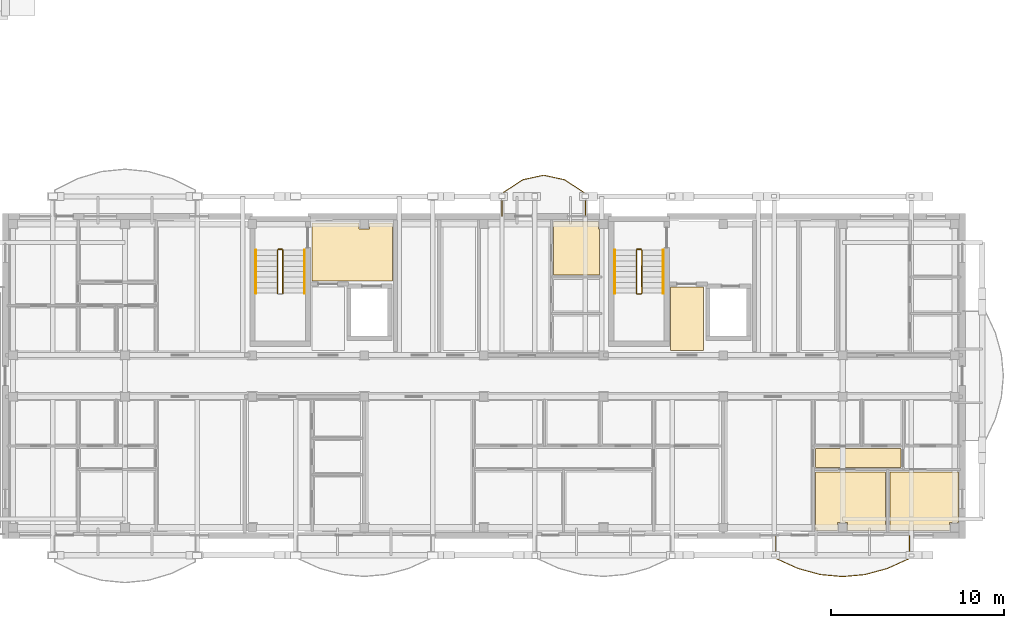
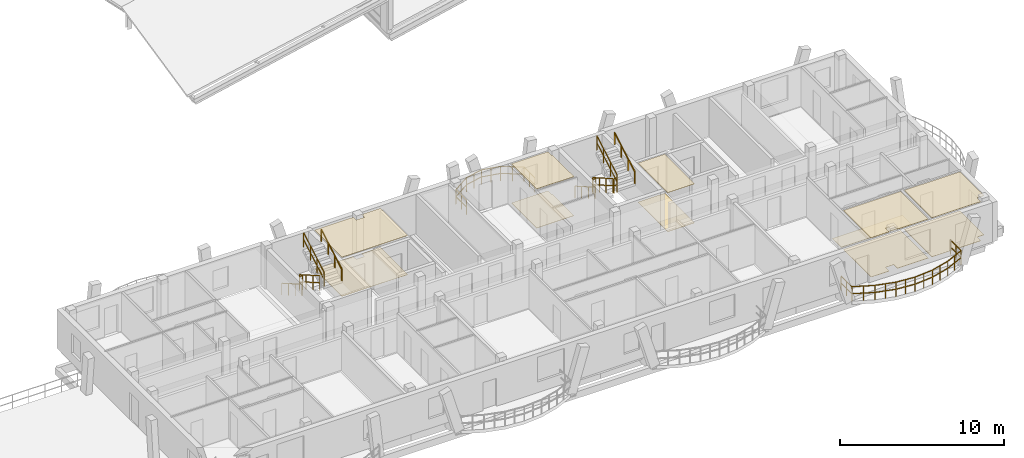
# One storey, part 103 of 109: 13 railings, 11 coverings.
"""IFC4 building model written with IfcOpenShell, lengths in metres."""

from ifc_helpers import new_model, si_unit, direction, frame, origin, origin_2d, place, context, subcontext, project, spatial, polyline, rectangle, outline, extrude, material, layer, layer_set, type_object, element, save


model = new_model("IFC4")

# Units and contexts
model_context = context("Model", 3, precision=1e-05, world=origin(), true_north=direction((0.0, 1.0)))
body_context = subcontext(model_context, "Body", "Model", "MODEL_VIEW")
ifc_project = project(units=[si_unit("LENGTHUNIT", "METRE"), si_unit("AREAUNIT", "SQUARE_METRE"), si_unit("VOLUMEUNIT", "CUBIC_METRE"), si_unit("PLANEANGLEUNIT", "RADIAN"), si_unit("MASSUNIT", "GRAM", prefix="KILO")], contexts=[model_context])

# Site, building, storey
site_placement = place(None, origin())
site = spatial("IfcSite", under=ifc_project, at=site_placement, CompositionType="ELEMENT")
building_placement = place(site_placement, origin())
building = spatial("IfcBuilding", under=site, at=building_placement, Name="Zavelmont Quarter", CompositionType="ELEMENT")
storey_placement = place(building_placement, frame((0.0, 0.0, 8.0)))
storey = spatial("IfcBuildingStorey", under=building, at=storey_placement, Name="L02", CompositionType="ELEMENT", Elevation=8.0)

# Coverings
ifc_material_1 = material(Name="Perforated acoustic gypsum board")
ifc_layer_1 = layer(ifc_material_1, 0.02490234375)
ifc_layer_set_1 = layer_set([ifc_layer_1], Name="Perforated acoustic gypsum board")
covering_type_1 = type_object("IfcCoveringType", Name="CV-CL01", PredefinedType="CEILING", material=ifc_layer_set_1)
covering_1_placement = place(storey_placement, frame((0.0, 0.0, 2.9150390625)))
element("IfcCovering", 1, at=covering_1_placement, inside=storey, type_object=covering_type_1, Name="L02 Firefighting Lobby acoustic ceiling", PredefinedType="CEILING", context=body_context, shape_type="SweptSolid", body=[
    extrude(outline(polyline([(130.47998046875, 18.02001953125), (133.2099609375, 18.02001953125), (133.2099609375, 17.669921875), (133.7900390625, 17.669921875), (133.7900390625, 18.02001953125), (135.1201171875, 18.02001953125), (135.1201171875, 14.679931640625), (130.47998046875, 14.679931640625), (130.47998046875, 18.02001953125)])), origin(), (0.0, 0.0, 1.0), 0.02490234375),
])
covering_2_placement = place(storey_placement, frame((0.0, 0.0, 2.9150390625)))
element("IfcCovering", 2, at=covering_2_placement, inside=storey, type_object=covering_type_1, Name="L02 Lobby Vestibule acoustic ceiling", PredefinedType="CEILING", context=body_context, shape_type="SweptSolid", body=[
    extrude(outline(polyline([(151.179931640625, 14.320068359375), (153.070068359375, 14.320068359375), (153.070068359375, 10.679931640625), (151.179931640625, 10.679931640625), (151.179931640625, 14.320068359375)])), origin(), (0.0, 0.0, 1.0), 0.02490234375),
])
covering_3_placement = place(storey_placement, frame((0.0, 0.0, 2.9150390625)))
element("IfcCovering", 3, at=covering_3_placement, inside=storey, type_object=covering_type_1, Name="L02 Master Bedroom acoustic ceiling", PredefinedType="CEILING", context=body_context, shape_type="SweptSolid", body=[
    extrude(outline(polyline([(159.530029296875, 3.669921875), (163.570068359375, 3.669921875), (163.570068359375, 0.280029296875), (161.389892578125, 0.280029296875), (161.389892578125, 0.72998046875), (160.81005859375, 0.72998046875), (160.81005859375, 0.280029296875), (159.530029296875, 0.280029296875), (159.530029296875, 3.669921875)])), origin(), (0.0, 0.0, 1.0), 0.02490234375),
])
covering_4_placement = place(storey_placement, frame((0.0, 0.0, 2.9150390625)))
element("IfcCovering", 4, at=covering_4_placement, inside=storey, type_object=covering_type_1, Name="L02 Double Bedroom acoustic ceiling", PredefinedType="CEILING", context=body_context, shape_type="SweptSolid", body=[
    extrude(outline(polyline([(163.830078125, 3.669921875), (167.77001953125, 3.669921875), (167.77001953125, 0.72998046875), (167.27001953125, 0.72998046875), (167.27001953125, 0.280029296875), (163.830078125, 0.280029296875), (163.830078125, 3.669921875)])), origin(), (0.0, 0.0, 1.0), 0.02490234375),
])
covering_5_placement = place(storey_placement, frame((0.0, 0.0, 2.9150390625)))
element("IfcCovering", 5, at=covering_5_placement, inside=storey, type_object=covering_type_1, Name="L02 Single Bedroom acoustic ceiling", PredefinedType="CEILING", context=body_context, shape_type="SweptSolid", body=[
    extrude(outline(polyline([(144.429931640625, 18.1201171875), (147.010009765625, 18.1201171875), (147.010009765625, 17.669921875), (147.070068359375, 17.669921875), (147.070068359375, 15.030029296875), (144.429931640625, 15.030029296875), (144.429931640625, 18.1201171875)])), origin(), (0.0, 0.0, 1.0), 0.02490234375),
])
ifc_material_2 = material(Name="Engineered European oak parquet")
ifc_layer_2 = layer(ifc_material_2, 0.02197265625)
ifc_layer_set_2 = layer_set([ifc_layer_2], Name="Engineered European oak parquet")
covering_type_2 = type_object("IfcCoveringType", Name="CV-FL01", PredefinedType="FLOORING", material=ifc_layer_set_2)
covering_6_placement = place(storey_placement, origin())
element("IfcCovering", 6, at=covering_6_placement, inside=storey, type_object=covering_type_2, Name="L02 Firefighting Lobby floor finish", PredefinedType="FLOORING", context=body_context, shape_type="SweptSolid", body=[
    extrude(outline(polyline([(130.47998046875, 18.02001953125), (133.2099609375, 18.02001953125), (133.2099609375, 17.669921875), (133.7900390625, 17.669921875), (133.7900390625, 18.02001953125), (135.1201171875, 18.02001953125), (135.1201171875, 14.679931640625), (130.47998046875, 14.679931640625), (130.47998046875, 18.02001953125)])), origin(), (0.0, 0.0, 1.0), 0.02197265625),
])
covering_7_placement = place(storey_placement, origin())
element("IfcCovering", 7, at=covering_7_placement, inside=storey, type_object=covering_type_2, Name="L02 Lobby Vestibule floor finish", PredefinedType="FLOORING", context=body_context, shape_type="SweptSolid", body=[
    extrude(outline(polyline([(151.179931640625, 14.320068359375), (153.070068359375, 14.320068359375), (153.070068359375, 10.679931640625), (151.179931640625, 10.679931640625), (151.179931640625, 14.320068359375)])), origin(), (0.0, 0.0, 1.0), 0.02197265625),
])
covering_8_placement = place(storey_placement, origin())
element("IfcCovering", 8, at=covering_8_placement, inside=storey, type_object=covering_type_2, Name="L02 Master Bedroom floor finish", PredefinedType="FLOORING", context=body_context, shape_type="SweptSolid", body=[
    extrude(outline(polyline([(159.530029296875, 3.669921875), (163.570068359375, 3.669921875), (163.570068359375, 0.280029296875), (161.389892578125, 0.280029296875), (161.389892578125, 0.72998046875), (160.81005859375, 0.72998046875), (160.81005859375, 0.280029296875), (159.530029296875, 0.280029296875), (159.530029296875, 3.669921875)])), origin(), (0.0, 0.0, 1.0), 0.02197265625),
])
covering_9_placement = place(storey_placement, origin())
element("IfcCovering", 9, at=covering_9_placement, inside=storey, type_object=covering_type_2, Name="L02 Double Bedroom floor finish", PredefinedType="FLOORING", context=body_context, shape_type="SweptSolid", body=[
    extrude(outline(polyline([(163.830078125, 3.669921875), (167.77001953125, 3.669921875), (167.77001953125, 0.72998046875), (167.27001953125, 0.72998046875), (167.27001953125, 0.280029296875), (163.830078125, 0.280029296875), (163.830078125, 3.669921875)])), origin(), (0.0, 0.0, 1.0), 0.02197265625),
])
covering_10_placement = place(storey_placement, origin())
element("IfcCovering", 10, at=covering_10_placement, inside=storey, type_object=covering_type_2, Name="L02 Single Bedroom floor finish", PredefinedType="FLOORING", context=body_context, shape_type="SweptSolid", body=[
    extrude(outline(polyline([(144.429931640625, 18.1201171875), (147.010009765625, 18.1201171875), (147.010009765625, 17.669921875), (147.070068359375, 17.669921875), (147.070068359375, 15.030029296875), (144.429931640625, 15.030029296875), (144.429931640625, 18.1201171875)])), origin(), (0.0, 0.0, 1.0), 0.02197265625),
])
ifc_material_3 = material(Name="Honed Belgian bluestone tile", Category="masonry")
ifc_layer_3 = layer(ifc_material_3, 0.030029296875)
ifc_layer_set_3 = layer_set([ifc_layer_3], Name="Honed Belgian bluestone tile")
covering_type_3 = type_object("IfcCoveringType", Name="CV-FL02", PredefinedType="FLOORING", material=ifc_layer_set_3)
covering_11_placement = place(storey_placement, origin())
element("IfcCovering", 11, at=covering_11_placement, inside=storey, type_object=covering_type_3, Name="L02 Apartment Hall floor finish", PredefinedType="FLOORING", context=body_context, shape_type="SweptSolid", body=[
    extrude(outline(polyline([(159.530029296875, 5.02001953125), (164.469970703125, 5.02001953125), (164.469970703125, 3.929931640625), (159.530029296875, 3.929931640625), (159.530029296875, 5.02001953125)])), origin(), (0.0, 0.0, 1.0), 0.030029296875),
])

# Railings
ifc_material_4 = material(Name="Powder-coated steel and tempered double safety glass", Category="steel")
railing_type_1 = type_object("IfcRailingType", Name="RL-BAL1", PredefinedType="BALUSTRADE", material=ifc_material_4)
railing_1_placement = place(storey_placement, frame((157.241455078125, -0.02001953125, 0.0)))
element("IfcRailing", 12, at=railing_1_placement, inside=storey, type_object=railing_type_1, Name="L02 Block D curved balcony guard RL-BAL1", PredefinedType="BALUSTRADE", context=body_context, shape_type="SweptSolid", body=[
    extrude(rectangle(XDim=0.048095703125, YDim=0.048095703125, at=origin_2d()), frame((0.0, 0.0, 1.076171875), z_axis=(0.0, -1.0, 0.0), x_axis=(1.0, 0.0, 0.0)), (0.0, 0.0, 1.0), 1.312744140625),
    extrude(rectangle(XDim=0.048095703125, YDim=0.048095703125, at=origin_2d()), frame((0.0, 0.0, 0.550048828125), z_axis=(0.0, -1.0, 0.0), x_axis=(1.0, 0.0, 0.0)), (0.0, 0.0, 1.0), 1.312744140625),
    extrude(rectangle(XDim=0.048095703125, YDim=0.048095703125, at=origin_2d()), frame((0.0, -1.312744140625, 1.076171875), z_axis=(0.911117201035, -0.412147359542, 0.0), x_axis=(0.412147359542, 0.911117201035, 0.0)), (0.0, 0.0, 1.0), 1.41162109375),
    extrude(rectangle(XDim=0.048095703125, YDim=0.048095703125, at=origin_2d()), frame((0.0, -1.312744140625, 0.550048828125), z_axis=(0.911117201035, -0.412147359542, 0.0), x_axis=(0.412147359542, 0.911117201035, 0.0)), (0.0, 0.0, 1.0), 1.41162109375),
    extrude(rectangle(XDim=0.048095703125, YDim=0.048095703125, at=origin_2d()), frame((1.2861328125, -1.89453125, 1.076171875), z_axis=(0.965075981526, -0.261970131659, 0.0), x_axis=(0.261970131659, 0.965075981526, 0.0)), (0.0, 0.0, 1.0), 1.332763671875),
    extrude(rectangle(XDim=0.048095703125, YDim=0.048095703125, at=origin_2d()), frame((1.2861328125, -1.89453125, 0.550048828125), z_axis=(0.965075981526, -0.261970131659, 0.0), x_axis=(0.261970131659, 0.965075981526, 0.0)), (0.0, 0.0, 1.0), 1.332763671875),
    extrude(rectangle(XDim=0.048095703125, YDim=0.048095703125, at=origin_2d()), frame((2.572265625, -2.24365234375, 1.076171875), z_axis=(0.99594417591, -0.089973320883, 0.0), x_axis=(0.089973320883, 0.99594417591, 0.0)), (0.0, 0.0, 1.0), 1.29150390625),
    extrude(rectangle(XDim=0.048095703125, YDim=0.048095703125, at=origin_2d()), frame((2.572265625, -2.24365234375, 0.550048828125), z_axis=(0.99594417591, -0.089973320883, 0.0), x_axis=(0.089973320883, 0.99594417591, 0.0)), (0.0, 0.0, 1.0), 1.29150390625),
    extrude(rectangle(XDim=0.048095703125, YDim=0.048095703125, at=origin_2d()), frame((3.858642578125, -2.35986328125, 1.076171875), z_axis=(0.995942645327, 0.089990261803, 0.0), x_axis=(-0.089990261803, 0.995942645327, 0.0)), (0.0, 0.0, 1.0), 1.291259765625),
    extrude(rectangle(XDim=0.048095703125, YDim=0.048095703125, at=origin_2d()), frame((3.858642578125, -2.35986328125, 0.550048828125), z_axis=(0.995942645327, 0.089990261803, 0.0), x_axis=(-0.089990261803, 0.995942645327, 0.0)), (0.0, 0.0, 1.0), 1.291259765625),
    extrude(rectangle(XDim=0.048095703125, YDim=0.048095703125, at=origin_2d()), frame((5.144775390625, -2.24365234375, 1.076171875), z_axis=(0.965075981526, 0.261970131659, 0.0), x_axis=(-0.261970131659, 0.965075981526, 0.0)), (0.0, 0.0, 1.0), 1.332763671875),
    extrude(rectangle(XDim=0.048095703125, YDim=0.048095703125, at=origin_2d()), frame((5.144775390625, -2.24365234375, 0.550048828125), z_axis=(0.965075981526, 0.261970131659, 0.0), x_axis=(-0.261970131659, 0.965075981526, 0.0)), (0.0, 0.0, 1.0), 1.332763671875),
    extrude(rectangle(XDim=0.048095703125, YDim=0.048095703125, at=origin_2d()), frame((6.430908203125, -1.89453125, 1.076171875), z_axis=(0.911117201035, 0.412147359542, 0.0), x_axis=(-0.412147359542, 0.911117201035, 0.0)), (0.0, 0.0, 1.0), 1.41162109375),
    extrude(rectangle(XDim=0.048095703125, YDim=0.048095703125, at=origin_2d()), frame((6.430908203125, -1.89453125, 0.550048828125), z_axis=(0.911117201035, 0.412147359542, 0.0), x_axis=(-0.412147359542, 0.911117201035, 0.0)), (0.0, 0.0, 1.0), 1.41162109375),
    extrude(rectangle(XDim=0.048095703125, YDim=0.048095703125, at=origin_2d()), frame((7.717041015625, -1.312744140625, 1.076171875), z_axis=(0.0, 1.0, 0.0), x_axis=(-1.0, 0.0, 0.0)), (0.0, 0.0, 1.0), 1.312744140625),
    extrude(rectangle(XDim=0.048095703125, YDim=0.048095703125, at=origin_2d()), frame((7.717041015625, -1.312744140625, 0.550048828125), z_axis=(0.0, 1.0, 0.0), x_axis=(-1.0, 0.0, 0.0)), (0.0, 0.0, 1.0), 1.312744140625),
    extrude(rectangle(XDim=0.0419921875, YDim=0.0419921875, at=origin_2d()), origin(), (0.0, 0.0, 1.0), 1.052001953125),
    extrude(rectangle(XDim=0.0419921875, YDim=0.0419921875, at=origin_2d()), frame((0.0, -0.65625, 0.0)), (0.0, 0.0, 1.0), 1.052001953125),
    extrude(rectangle(XDim=0.0419921875, YDim=0.0419921875, at=origin_2d()), frame((0.0, -1.312744140625, 0.0)), (0.0, 0.0, 1.0), 1.052001953125),
    extrude(rectangle(XDim=0.0419921875, YDim=0.0419921875, at=origin_2d()), frame((0.64306640625, -1.603515625, 0.0)), (0.0, 0.0, 1.0), 1.052001953125),
    extrude(rectangle(XDim=0.0419921875, YDim=0.0419921875, at=origin_2d()), frame((1.2861328125, -1.89453125, 0.0)), (0.0, 0.0, 1.0), 1.052001953125),
    extrude(rectangle(XDim=0.0419921875, YDim=0.0419921875, at=origin_2d()), frame((1.92919921875, -2.069091796875, 0.0)), (0.0, 0.0, 1.0), 1.052001953125),
    extrude(rectangle(XDim=0.0419921875, YDim=0.0419921875, at=origin_2d()), frame((2.572265625, -2.24365234375, 0.0)), (0.0, 0.0, 1.0), 1.052001953125),
    extrude(rectangle(XDim=0.0419921875, YDim=0.0419921875, at=origin_2d()), frame((3.21533203125, -2.3017578125, 0.0)), (0.0, 0.0, 1.0), 1.052001953125),
    extrude(rectangle(XDim=0.0419921875, YDim=0.0419921875, at=origin_2d()), frame((3.858642578125, -2.35986328125, 0.0)), (0.0, 0.0, 1.0), 1.052001953125),
    extrude(rectangle(XDim=0.0419921875, YDim=0.0419921875, at=origin_2d()), frame((4.501708984375, -2.3017578125, 0.0)), (0.0, 0.0, 1.0), 1.052001953125),
    extrude(rectangle(XDim=0.0419921875, YDim=0.0419921875, at=origin_2d()), frame((5.144775390625, -2.24365234375, 0.0)), (0.0, 0.0, 1.0), 1.052001953125),
    extrude(rectangle(XDim=0.0419921875, YDim=0.0419921875, at=origin_2d()), frame((5.787841796875, -2.069091796875, 0.0)), (0.0, 0.0, 1.0), 1.052001953125),
    extrude(rectangle(XDim=0.0419921875, YDim=0.0419921875, at=origin_2d()), frame((6.430908203125, -1.89453125, 0.0)), (0.0, 0.0, 1.0), 1.052001953125),
    extrude(rectangle(XDim=0.0419921875, YDim=0.0419921875, at=origin_2d()), frame((7.073974609375, -1.603515625, 0.0)), (0.0, 0.0, 1.0), 1.052001953125),
    extrude(rectangle(XDim=0.0419921875, YDim=0.0419921875, at=origin_2d()), frame((7.717041015625, -1.312744140625, 0.0)), (0.0, 0.0, 1.0), 1.052001953125),
    extrude(rectangle(XDim=0.0419921875, YDim=0.0419921875, at=origin_2d()), frame((7.717041015625, -0.65625, 0.0)), (0.0, 0.0, 1.0), 1.052001953125),
    extrude(rectangle(XDim=0.0419921875, YDim=0.0419921875, at=origin_2d()), frame((7.717041015625, 0.0, 0.0)), (0.0, 0.0, 1.0), 1.052001953125),
])
railing_2_placement = place(storey_placement, frame((146.25390625, 18.419921875, 0.0)))
element("IfcRailing", 13, at=railing_2_placement, inside=storey, type_object=railing_type_1, Name="L02 Block D curved balcony guard RL-BAL1", PredefinedType="BALUSTRADE", context=body_context, shape_type="SweptSolid", body=[
    extrude(rectangle(XDim=0.048095703125, YDim=0.048095703125, at=origin_2d()), frame((0.0, 0.0, 1.076171875), z_axis=(0.0, 1.0, 0.0), x_axis=(-1.0, 0.0, 0.0)), (0.0, 0.0, 1.0), 1.31298828125),
    extrude(rectangle(XDim=0.048095703125, YDim=0.048095703125, at=origin_2d()), frame((0.0, 0.0, 0.550048828125), z_axis=(0.0, 1.0, 0.0), x_axis=(-1.0, 0.0, 0.0)), (0.0, 0.0, 1.0), 1.31298828125),
    extrude(rectangle(XDim=0.048095703125, YDim=0.048095703125, at=origin_2d()), frame((0.0, 1.31298828125, 1.076171875), z_axis=(-0.837116366166, 0.547024852723, 0.0), x_axis=(-0.547024852723, -0.837116366166, 0.0)), (0.0, 0.0, 1.0), 1.435791015625),
    extrude(rectangle(XDim=0.048095703125, YDim=0.048095703125, at=origin_2d()), frame((0.0, 1.31298828125, 0.550048828125), z_axis=(-0.837116366166, 0.547024852723, 0.0), x_axis=(-0.547024852723, -0.837116366166, 0.0)), (0.0, 0.0, 1.0), 1.435791015625),
    extrude(rectangle(XDim=0.048095703125, YDim=0.048095703125, at=origin_2d()), frame((-1.201904296875, 2.098388671875, 1.076171875), z_axis=(-0.977102861822, 0.212767472653, 0.0), x_axis=(-0.212767472653, -0.977102861822, 0.0)), (0.0, 0.0, 1.0), 1.22998046875),
    extrude(rectangle(XDim=0.048095703125, YDim=0.048095703125, at=origin_2d()), frame((-1.201904296875, 2.098388671875, 0.550048828125), z_axis=(-0.977102861822, 0.212767472653, 0.0), x_axis=(-0.212767472653, -0.977102861822, 0.0)), (0.0, 0.0, 1.0), 1.22998046875),
    extrude(rectangle(XDim=0.048095703125, YDim=0.048095703125, at=origin_2d()), frame((-2.40380859375, 2.360107421875, 1.076171875), z_axis=(-0.977102861822, -0.212767472653, 0.0), x_axis=(0.212767472653, -0.977102861822, 0.0)), (0.0, 0.0, 1.0), 1.22998046875),
    extrude(rectangle(XDim=0.048095703125, YDim=0.048095703125, at=origin_2d()), frame((-2.40380859375, 2.360107421875, 0.550048828125), z_axis=(-0.977102861822, -0.212767472653, 0.0), x_axis=(0.212767472653, -0.977102861822, 0.0)), (0.0, 0.0, 1.0), 1.22998046875),
    extrude(rectangle(XDim=0.048095703125, YDim=0.048095703125, at=origin_2d()), frame((-3.605712890625, 2.098388671875, 1.076171875), z_axis=(-0.837116366166, -0.547024852723, 0.0), x_axis=(0.547024852723, -0.837116366166, 0.0)), (0.0, 0.0, 1.0), 1.435791015625),
    extrude(rectangle(XDim=0.048095703125, YDim=0.048095703125, at=origin_2d()), frame((-3.605712890625, 2.098388671875, 0.550048828125), z_axis=(-0.837116366166, -0.547024852723, 0.0), x_axis=(0.547024852723, -0.837116366166, 0.0)), (0.0, 0.0, 1.0), 1.435791015625),
    extrude(rectangle(XDim=0.048095703125, YDim=0.048095703125, at=origin_2d()), frame((-4.8076171875, 1.31298828125, 1.076171875), z_axis=(0.0, -1.0, 0.0), x_axis=(1.0, 0.0, 0.0)), (0.0, 0.0, 1.0), 1.31298828125),
    extrude(rectangle(XDim=0.048095703125, YDim=0.048095703125, at=origin_2d()), frame((-4.8076171875, 1.31298828125, 0.550048828125), z_axis=(0.0, -1.0, 0.0), x_axis=(1.0, 0.0, 0.0)), (0.0, 0.0, 1.0), 1.31298828125),
    extrude(rectangle(XDim=0.0419921875, YDim=0.0419921875, at=origin_2d()), origin(), (0.0, 0.0, 1.0), 1.052001953125),
    extrude(rectangle(XDim=0.0419921875, YDim=0.0419921875, at=origin_2d()), frame((0.0, 0.656494140625, 0.0)), (0.0, 0.0, 1.0), 1.052001953125),
    extrude(rectangle(XDim=0.0419921875, YDim=0.0419921875, at=origin_2d()), frame((0.0, 1.31298828125, 0.0)), (0.0, 0.0, 1.0), 1.052001953125),
    extrude(rectangle(XDim=0.0419921875, YDim=0.0419921875, at=origin_2d()), frame((-0.60107421875, 1.70556640625, 0.0)), (0.0, 0.0, 1.0), 1.052001953125),
    extrude(rectangle(XDim=0.0419921875, YDim=0.0419921875, at=origin_2d()), frame((-1.201904296875, 2.098388671875, 0.0)), (0.0, 0.0, 1.0), 1.052001953125),
    extrude(rectangle(XDim=0.0419921875, YDim=0.0419921875, at=origin_2d()), frame((-1.802734375, 2.229248046875, 0.0)), (0.0, 0.0, 1.0), 1.052001953125),
    extrude(rectangle(XDim=0.0419921875, YDim=0.0419921875, at=origin_2d()), frame((-2.40380859375, 2.360107421875, 0.0)), (0.0, 0.0, 1.0), 1.052001953125),
    extrude(rectangle(XDim=0.0419921875, YDim=0.0419921875, at=origin_2d()), frame((-3.0048828125, 2.229248046875, 0.0)), (0.0, 0.0, 1.0), 1.052001953125),
    extrude(rectangle(XDim=0.0419921875, YDim=0.0419921875, at=origin_2d()), frame((-3.605712890625, 2.098388671875, 0.0)), (0.0, 0.0, 1.0), 1.052001953125),
    extrude(rectangle(XDim=0.0419921875, YDim=0.0419921875, at=origin_2d()), frame((-4.20654296875, 1.70556640625, 0.0)), (0.0, 0.0, 1.0), 1.052001953125),
    extrude(rectangle(XDim=0.0419921875, YDim=0.0419921875, at=origin_2d()), frame((-4.8076171875, 1.31298828125, 0.0)), (0.0, 0.0, 1.0), 1.052001953125),
    extrude(rectangle(XDim=0.0419921875, YDim=0.0419921875, at=origin_2d()), frame((-4.8076171875, 0.656494140625, 0.0)), (0.0, 0.0, 1.0), 1.052001953125),
    extrude(rectangle(XDim=0.0419921875, YDim=0.0419921875, at=origin_2d()), frame((-4.8076171875, 0.0, 0.0)), (0.0, 0.0, 1.0), 1.052001953125),
])
ifc_material_5 = material(Name="Powder-coated steel stair guardrail", Category="steel")
railing_type_2 = type_object("IfcRailingType", Name="RL-GRD1", PredefinedType="GUARDRAIL", material=ifc_material_5)
railing_3_placement = place(storey_placement, frame((128.5, 16.449951171875, 0.177734375)))
element("IfcRailing", 14, at=railing_3_placement, inside=storey, type_object=railing_type_2, Name="L02 ST07 stair guardrail 1", PredefinedType="GUARDRAIL", context=body_context, shape_type="SweptSolid", body=[
    extrude(rectangle(XDim=0.048095703125, YDim=0.048095703125, at=origin_2d()), frame((0.0, 0.0, 1.076171875), z_axis=(0.0, -0.867453774394, 0.497517787913), x_axis=(1.0, 0.0, 0.0)), (0.0, 0.0, 1.0), 2.85888671875),
    extrude(rectangle(XDim=0.048095703125, YDim=0.048095703125, at=origin_2d()), frame((0.0, 0.0, 0.550048828125), z_axis=(0.0, -0.867453774394, 0.497517787913), x_axis=(1.0, 0.0, 0.0)), (0.0, 0.0, 1.0), 2.85888671875),
    extrude(rectangle(XDim=0.0419921875, YDim=0.0419921875, at=origin_2d()), origin(), (0.0, 0.0, 1.0), 1.052001953125),
    extrude(rectangle(XDim=0.0419921875, YDim=0.0419921875, at=origin_2d()), frame((0.0, -0.82666015625, 0.47412109375)), (0.0, 0.0, 1.0), 1.052001953125),
    extrude(rectangle(XDim=0.0419921875, YDim=0.0419921875, at=origin_2d()), frame((0.0, -1.6533203125, 0.9482421875)), (0.0, 0.0, 1.0), 1.052001953125),
    extrude(rectangle(XDim=0.0419921875, YDim=0.0419921875, at=origin_2d()), frame((0.0, -2.47998046875, 1.42236328125)), (0.0, 0.0, 1.0), 1.052001953125),
])
railing_4_placement = place(storey_placement, frame((128.800048828125, 13.969970703125, 1.77783203125)))
element("IfcRailing", 15, at=railing_4_placement, inside=storey, type_object=railing_type_2, Name="L02 ST07 stair guardrail 3", PredefinedType="GUARDRAIL", context=body_context, shape_type="SweptSolid", body=[
    extrude(rectangle(XDim=0.048095703125, YDim=0.048095703125, at=origin_2d()), frame((0.0, 0.0, 1.076171875), z_axis=(0.0, 0.867490628297, 0.497453525283), x_axis=(-1.0, 0.0, 0.0)), (0.0, 0.0, 1.0), 2.85888671875),
    extrude(rectangle(XDim=0.048095703125, YDim=0.048095703125, at=origin_2d()), frame((0.0, 0.0, 0.550048828125), z_axis=(0.0, 0.867490628297, 0.497453525283), x_axis=(-1.0, 0.0, 0.0)), (0.0, 0.0, 1.0), 2.85888671875),
    extrude(rectangle(XDim=0.0419921875, YDim=0.0419921875, at=origin_2d()), origin(), (0.0, 0.0, 1.0), 1.052001953125),
    extrude(rectangle(XDim=0.0419921875, YDim=0.0419921875, at=origin_2d()), frame((0.0, 0.82666015625, 0.47412109375)), (0.0, 0.0, 1.0), 1.052001953125),
    extrude(rectangle(XDim=0.0419921875, YDim=0.0419921875, at=origin_2d()), frame((0.0, 1.6533203125, 0.947998046875)), (0.0, 0.0, 1.0), 1.052001953125),
    extrude(rectangle(XDim=0.0419921875, YDim=0.0419921875, at=origin_2d()), frame((0.0, 2.47998046875, 1.422119140625)), (0.0, 0.0, 1.0), 1.052001953125),
])
railing_5_placement = place(storey_placement, frame((128.550048828125, 16.5, 0.0)))
element("IfcRailing", 16, at=railing_5_placement, inside=storey, type_object=railing_type_2, Name="L02 ST07 stair guardrail 4", PredefinedType="GUARDRAIL", context=body_context, shape_type="SweptSolid", body=[
    extrude(rectangle(XDim=0.048095703125, YDim=0.048095703125, at=origin_2d()), frame((0.0, 0.0, 1.076171875), z_axis=(1.0, 0.0, 0.0), x_axis=(0.0, 1.0, 0.0)), (0.0, 0.0, 1.0), 0.199951171875),
    extrude(rectangle(XDim=0.048095703125, YDim=0.048095703125, at=origin_2d()), frame((0.0, 0.0, 0.550048828125), z_axis=(1.0, 0.0, 0.0), x_axis=(0.0, 1.0, 0.0)), (0.0, 0.0, 1.0), 0.199951171875),
    extrude(rectangle(XDim=0.0419921875, YDim=0.0419921875, at=origin_2d()), origin(), (0.0, 0.0, 1.0), 1.052001953125),
    extrude(rectangle(XDim=0.0419921875, YDim=0.0419921875, at=origin_2d()), frame((0.199951171875, 0.0, 0.0)), (0.0, 0.0, 1.0), 1.052001953125),
])
railing_6_placement = place(storey_placement, frame((149.199951171875, 16.449951171875, 0.177734375)))
element("IfcRailing", 17, at=railing_6_placement, inside=storey, type_object=railing_type_2, Name="L02 ST08 stair guardrail 1", PredefinedType="GUARDRAIL", context=body_context, shape_type="SweptSolid", body=[
    extrude(rectangle(XDim=0.048095703125, YDim=0.048095703125, at=origin_2d()), frame((0.0, 0.0, 1.076171875), z_axis=(0.0, -0.867453774394, 0.497517787913), x_axis=(1.0, 0.0, 0.0)), (0.0, 0.0, 1.0), 2.85888671875),
    extrude(rectangle(XDim=0.048095703125, YDim=0.048095703125, at=origin_2d()), frame((0.0, 0.0, 0.550048828125), z_axis=(0.0, -0.867453774394, 0.497517787913), x_axis=(1.0, 0.0, 0.0)), (0.0, 0.0, 1.0), 2.85888671875),
    extrude(rectangle(XDim=0.0419921875, YDim=0.0419921875, at=origin_2d()), origin(), (0.0, 0.0, 1.0), 1.052001953125),
    extrude(rectangle(XDim=0.0419921875, YDim=0.0419921875, at=origin_2d()), frame((0.0, -0.82666015625, 0.47412109375)), (0.0, 0.0, 1.0), 1.052001953125),
    extrude(rectangle(XDim=0.0419921875, YDim=0.0419921875, at=origin_2d()), frame((0.0, -1.6533203125, 0.9482421875)), (0.0, 0.0, 1.0), 1.052001953125),
    extrude(rectangle(XDim=0.0419921875, YDim=0.0419921875, at=origin_2d()), frame((0.0, -2.47998046875, 1.42236328125)), (0.0, 0.0, 1.0), 1.052001953125),
])
railing_7_placement = place(storey_placement, frame((149.25, 13.919921875, 1.60009765625)))
element("IfcRailing", 18, at=railing_7_placement, inside=storey, type_object=railing_type_2, Name="L02 ST08 stair guardrail 2", PredefinedType="GUARDRAIL", context=body_context, shape_type="SweptSolid", body=[
    extrude(rectangle(XDim=0.048095703125, YDim=0.048095703125, at=origin_2d()), frame((0.0, 0.0, 1.076171875), z_axis=(1.0, 0.0, 0.0), x_axis=(0.0, 1.0, 0.0)), (0.0, 0.0, 1.0), 0.199951171875),
    extrude(rectangle(XDim=0.048095703125, YDim=0.048095703125, at=origin_2d()), frame((0.0, 0.0, 0.550048828125), z_axis=(1.0, 0.0, 0.0), x_axis=(0.0, 1.0, 0.0)), (0.0, 0.0, 1.0), 0.199951171875),
    extrude(rectangle(XDim=0.0419921875, YDim=0.0419921875, at=origin_2d()), origin(), (0.0, 0.0, 1.0), 1.052001953125),
    extrude(rectangle(XDim=0.0419921875, YDim=0.0419921875, at=origin_2d()), frame((0.199951171875, 0.0, 0.0)), (0.0, 0.0, 1.0), 1.052001953125),
])
railing_8_placement = place(storey_placement, frame((149.5, 13.969970703125, 1.77783203125)))
element("IfcRailing", 19, at=railing_8_placement, inside=storey, type_object=railing_type_2, Name="L02 ST08 stair guardrail 3", PredefinedType="GUARDRAIL", context=body_context, shape_type="SweptSolid", body=[
    extrude(rectangle(XDim=0.048095703125, YDim=0.048095703125, at=origin_2d()), frame((0.0, 0.0, 1.076171875), z_axis=(0.0, 0.867490628297, 0.497453525283), x_axis=(-1.0, 0.0, 0.0)), (0.0, 0.0, 1.0), 2.85888671875),
    extrude(rectangle(XDim=0.048095703125, YDim=0.048095703125, at=origin_2d()), frame((0.0, 0.0, 0.550048828125), z_axis=(0.0, 0.867490628297, 0.497453525283), x_axis=(-1.0, 0.0, 0.0)), (0.0, 0.0, 1.0), 2.85888671875),
    extrude(rectangle(XDim=0.0419921875, YDim=0.0419921875, at=origin_2d()), origin(), (0.0, 0.0, 1.0), 1.052001953125),
    extrude(rectangle(XDim=0.0419921875, YDim=0.0419921875, at=origin_2d()), frame((0.0, 0.82666015625, 0.47412109375)), (0.0, 0.0, 1.0), 1.052001953125),
    extrude(rectangle(XDim=0.0419921875, YDim=0.0419921875, at=origin_2d()), frame((0.0, 1.6533203125, 0.947998046875)), (0.0, 0.0, 1.0), 1.052001953125),
    extrude(rectangle(XDim=0.0419921875, YDim=0.0419921875, at=origin_2d()), frame((0.0, 2.47998046875, 1.422119140625)), (0.0, 0.0, 1.0), 1.052001953125),
])
railing_9_placement = place(storey_placement, frame((149.25, 16.5, 0.0)))
element("IfcRailing", 20, at=railing_9_placement, inside=storey, type_object=railing_type_2, Name="L02 ST08 stair guardrail 4", PredefinedType="GUARDRAIL", context=body_context, shape_type="SweptSolid", body=[
    extrude(rectangle(XDim=0.048095703125, YDim=0.048095703125, at=origin_2d()), frame((0.0, 0.0, 1.076171875), z_axis=(1.0, 0.0, 0.0), x_axis=(0.0, 1.0, 0.0)), (0.0, 0.0, 1.0), 0.199951171875),
    extrude(rectangle(XDim=0.048095703125, YDim=0.048095703125, at=origin_2d()), frame((0.0, 0.0, 0.550048828125), z_axis=(1.0, 0.0, 0.0), x_axis=(0.0, 1.0, 0.0)), (0.0, 0.0, 1.0), 0.199951171875),
    extrude(rectangle(XDim=0.0419921875, YDim=0.0419921875, at=origin_2d()), origin(), (0.0, 0.0, 1.0), 1.052001953125),
    extrude(rectangle(XDim=0.0419921875, YDim=0.0419921875, at=origin_2d()), frame((0.199951171875, 0.0, 0.0)), (0.0, 0.0, 1.0), 1.052001953125),
])
ifc_material_6 = material(Name="Brushed stainless-steel wall handrail", Category="steel")
railing_type_3 = type_object("IfcRailingType", Name="RL-HND1", PredefinedType="HANDRAIL", material=ifc_material_6)
railing_10_placement = place(storey_placement, frame((127.25, 16.449951171875, 0.177734375)))
element("IfcRailing", 21, at=railing_10_placement, inside=storey, type_object=railing_type_3, Name="L02 ST07 stair handrail 1", PredefinedType="HANDRAIL", context=body_context, shape_type="SweptSolid", body=[
    extrude(rectangle(XDim=0.048095703125, YDim=0.048095703125, at=origin_2d()), frame((0.0, 0.0, 0.8759765625), z_axis=(0.0, -0.867453774394, 0.497517787913), x_axis=(1.0, 0.0, 0.0)), (0.0, 0.0, 1.0), 2.85888671875),
    extrude(rectangle(XDim=0.0419921875, YDim=0.0419921875, at=origin_2d()), origin(), (0.0, 0.0, 1.0), 0.851806640625),
    extrude(rectangle(XDim=0.0419921875, YDim=0.0419921875, at=origin_2d()), frame((0.0, -0.82666015625, 0.47412109375)), (0.0, 0.0, 1.0), 0.851806640625),
    extrude(rectangle(XDim=0.0419921875, YDim=0.0419921875, at=origin_2d()), frame((0.0, -1.6533203125, 0.9482421875)), (0.0, 0.0, 1.0), 0.851806640625),
    extrude(rectangle(XDim=0.0419921875, YDim=0.0419921875, at=origin_2d()), frame((0.0, -2.47998046875, 1.42236328125)), (0.0, 0.0, 1.0), 0.851806640625),
])
railing_11_placement = place(storey_placement, frame((130.050048828125, 13.969970703125, 1.77783203125)))
element("IfcRailing", 22, at=railing_11_placement, inside=storey, type_object=railing_type_3, Name="L02 ST07 stair handrail 2", PredefinedType="HANDRAIL", context=body_context, shape_type="SweptSolid", body=[
    extrude(rectangle(XDim=0.048095703125, YDim=0.048095703125, at=origin_2d()), frame((0.0, 0.0, 0.8759765625), z_axis=(0.0, 0.867490628297, 0.497453525283), x_axis=(-1.0, 0.0, 0.0)), (0.0, 0.0, 1.0), 2.85888671875),
    extrude(rectangle(XDim=0.0419921875, YDim=0.0419921875, at=origin_2d()), origin(), (0.0, 0.0, 1.0), 0.851806640625),
    extrude(rectangle(XDim=0.0419921875, YDim=0.0419921875, at=origin_2d()), frame((0.0, 0.82666015625, 0.47412109375)), (0.0, 0.0, 1.0), 0.851806640625),
    extrude(rectangle(XDim=0.0419921875, YDim=0.0419921875, at=origin_2d()), frame((0.0, 1.6533203125, 0.947998046875)), (0.0, 0.0, 1.0), 0.851806640625),
    extrude(rectangle(XDim=0.0419921875, YDim=0.0419921875, at=origin_2d()), frame((0.0, 2.47998046875, 1.422119140625)), (0.0, 0.0, 1.0), 0.851806640625),
])
railing_12_placement = place(storey_placement, frame((147.949951171875, 16.449951171875, 0.177734375)))
element("IfcRailing", 23, at=railing_12_placement, inside=storey, type_object=railing_type_3, Name="L02 ST08 stair handrail 1", PredefinedType="HANDRAIL", context=body_context, shape_type="SweptSolid", body=[
    extrude(rectangle(XDim=0.048095703125, YDim=0.048095703125, at=origin_2d()), frame((0.0, 0.0, 0.8759765625), z_axis=(0.0, -0.867453774394, 0.497517787913), x_axis=(1.0, 0.0, 0.0)), (0.0, 0.0, 1.0), 2.85888671875),
    extrude(rectangle(XDim=0.0419921875, YDim=0.0419921875, at=origin_2d()), origin(), (0.0, 0.0, 1.0), 0.851806640625),
    extrude(rectangle(XDim=0.0419921875, YDim=0.0419921875, at=origin_2d()), frame((0.0, -0.82666015625, 0.47412109375)), (0.0, 0.0, 1.0), 0.851806640625),
    extrude(rectangle(XDim=0.0419921875, YDim=0.0419921875, at=origin_2d()), frame((0.0, -1.6533203125, 0.9482421875)), (0.0, 0.0, 1.0), 0.851806640625),
    extrude(rectangle(XDim=0.0419921875, YDim=0.0419921875, at=origin_2d()), frame((0.0, -2.47998046875, 1.42236328125)), (0.0, 0.0, 1.0), 0.851806640625),
])
railing_13_placement = place(storey_placement, frame((150.75, 13.969970703125, 1.77783203125)))
element("IfcRailing", 24, at=railing_13_placement, inside=storey, type_object=railing_type_3, Name="L02 ST08 stair handrail 2", PredefinedType="HANDRAIL", context=body_context, shape_type="SweptSolid", body=[
    extrude(rectangle(XDim=0.048095703125, YDim=0.048095703125, at=origin_2d()), frame((0.0, 0.0, 0.8759765625), z_axis=(0.0, 0.867490628297, 0.497453525283), x_axis=(-1.0, 0.0, 0.0)), (0.0, 0.0, 1.0), 2.85888671875),
    extrude(rectangle(XDim=0.0419921875, YDim=0.0419921875, at=origin_2d()), origin(), (0.0, 0.0, 1.0), 0.851806640625),
    extrude(rectangle(XDim=0.0419921875, YDim=0.0419921875, at=origin_2d()), frame((0.0, 0.82666015625, 0.47412109375)), (0.0, 0.0, 1.0), 0.851806640625),
    extrude(rectangle(XDim=0.0419921875, YDim=0.0419921875, at=origin_2d()), frame((0.0, 1.6533203125, 0.947998046875)), (0.0, 0.0, 1.0), 0.851806640625),
    extrude(rectangle(XDim=0.0419921875, YDim=0.0419921875, at=origin_2d()), frame((0.0, 2.47998046875, 1.422119140625)), (0.0, 0.0, 1.0), 0.851806640625),
])

save(model, "model.ifc")
